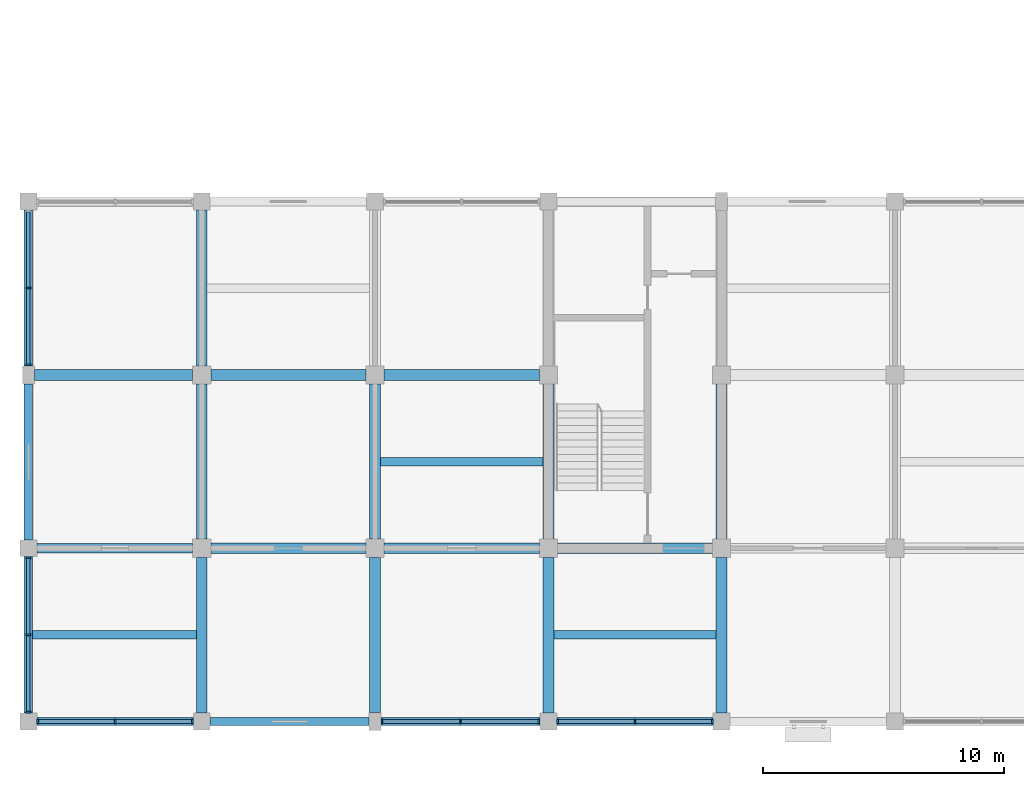
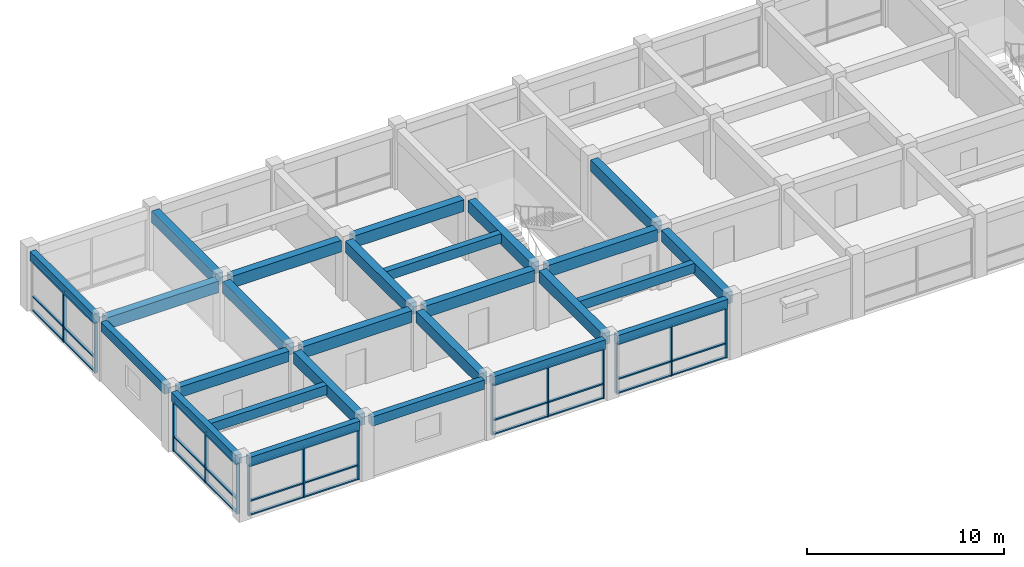
# One storey, part 2 of 25: 44 members, 26 beams, 5 elements without a shape of their own.
"""IFC4 building model written with IfcOpenShell, lengths in metres."""

from ifc_helpers import new_model, si_unit, direction, frame, origin, origin_2d, place, context, subcontext, project, spatial, rectangle, extrude, material, layer, layer_set, material_profile, profile_set, type_object, element, aggregate, save


model = new_model("IFC4")

# Units and contexts
model_context = context("Model", 3, precision=1e-05, world=origin(), true_north=direction((0.0, 1.0)))
body_context = subcontext(model_context, "Body", "Model", "MODEL_VIEW")
ifc_project = project(units=[si_unit("LENGTHUNIT", "METRE"), si_unit("AREAUNIT", "SQUARE_METRE"), si_unit("VOLUMEUNIT", "CUBIC_METRE"), si_unit("PLANEANGLEUNIT", "RADIAN"), si_unit("MASSUNIT", "GRAM", prefix="KILO")], contexts=[model_context])

# Site, building, storey
site_placement = place(None, origin())
site = spatial("IfcSite", under=ifc_project, at=site_placement, CompositionType="ELEMENT")
building_placement = place(site_placement, origin())
building = spatial("IfcBuilding", under=site, at=building_placement, Name="Cendaluz Park School", CompositionType="ELEMENT")
storey_placement = place(building_placement, frame((0.0, 0.0, 18.60009765625)))
storey = spatial("IfcBuildingStorey", under=building, at=storey_placement, Name="L04", CompositionType="ELEMENT", Elevation=18.60009765625)

# Beams
ifc_material_1 = material(Name="Concrete C40/50", Category="concrete")
ifc_material_profile_1 = material_profile(ifc_material_1, rectangle(XDim=0.449951171875, YDim=0.719970703125, at=origin_2d()), Name="RC 450x720", Category="concrete")
ifc_profile_set_1 = profile_set([ifc_material_profile_1], Name="Concrete C40/50")
beam_type_1 = type_object("IfcBeamType", Name="BM-RC02", PredefinedType="BEAM", material=ifc_profile_set_1)
beam_1_placement = place(storey_placement, frame((14.64990234375, 21.60009765625, 3.329833984375), z_axis=(1.0, 0.0, 0.0), x_axis=(0.0, 1.0, 0.0)))
element("IfcBeam", 1, at=beam_1_placement, inside=storey, type_object=beam_type_1, Name="BM-L04-BMRC02-0003", PredefinedType="BEAM", context=body_context, shape_type="SweptSolid", body=[
    extrude(rectangle(XDim=0.449951171875, YDim=0.719970703125, at=origin_2d()), origin(), (0.0, 0.0, 1.0), 6.5751953125),
])
for number, where, z_axis, x_axis, name in (
    (2, (21.97509765625, 14.39990234375, 3.329833984375), (1.0, 0.0, 0.0), (0.0, 1.0, 0.0), "BM-L04-BMRC02-0006"),
    (3, (21.97509765625, 21.60009765625, 3.329833984375), (1.0, 0.0, 0.0), (0.0, 1.0, 0.0), "BM-L04-BMRC02-0007"),
    (4, (29.175048828125, 14.39990234375, 3.329833984375), (1.0, 0.0, 0.0), (0.0, 1.0, 0.0), "BM-L04-BMRC02-0010"),
    (5, (29.175048828125, 21.60009765625, 3.329833984375), (1.0, 0.0, 0.0), (0.0, 1.0, 0.0), "BM-L04-BMRC02-0011"),
    (6, (36.375, 14.39990234375, 3.329833984375), (1.0, 0.0, 0.0), (0.0, 1.0, 0.0), "BM-L04-BMRC02-0014"),
):
    element("IfcBeam", number, at=place(storey_placement, frame(where, z_axis=z_axis, x_axis=x_axis)), inside=storey, type_object=beam_type_1, Name=name, PredefinedType="BEAM", context=body_context, shape_type="SweptSolid", body=[
        extrude(rectangle(XDim=0.449951171875, YDim=0.719970703125, at=origin_2d()), origin(), (0.0, 0.0, 1.0), 6.449951171875),
    ])
beam_2_placement = place(storey_placement, frame((21.60009765625, 7.550048828125, 3.329833984375), z_axis=(0.0, 1.0, 0.0), x_axis=(-1.0, 0.0, 0.0)))
element("IfcBeam", 7, at=beam_2_placement, inside=storey, type_object=beam_type_1, Name="BM-L04-BMRC02-0114", PredefinedType="BEAM", context=body_context, shape_type="SweptSolid", body=[
    extrude(rectangle(XDim=0.449951171875, YDim=0.719970703125, at=origin_2d()), origin(), (0.0, 0.0, 1.0), 6.474853515625),
])
beam_3_placement = place(storey_placement, frame((21.60009765625, 14.77490234375, 3.329833984375), z_axis=(0.0, 1.0, 0.0), x_axis=(-1.0, 0.0, 0.0)))
element("IfcBeam", 8, at=beam_3_placement, inside=storey, type_object=beam_type_1, Name="BM-L04-BMRC02-0115", PredefinedType="BEAM", context=body_context, shape_type="SweptSolid", body=[
    extrude(rectangle(XDim=0.449951171875, YDim=0.719970703125, at=origin_2d()), origin(), (0.0, 0.0, 1.0), 6.4501953125),
])
beam_4_placement = place(storey_placement, frame((21.60009765625, 21.97509765625, 3.329833984375), z_axis=(0.0, 1.0, 0.0), x_axis=(-1.0, 0.0, 0.0)))
element("IfcBeam", 9, at=beam_4_placement, inside=storey, type_object=beam_type_1, Name="BM-L04-BMRC02-0116", PredefinedType="BEAM", context=body_context, shape_type="SweptSolid", body=[
    extrude(rectangle(XDim=0.449951171875, YDim=0.719970703125, at=origin_2d()), origin(), (0.0, 0.0, 1.0), 6.474853515625),
])
beam_5_placement = place(storey_placement, frame((28.800048828125, 7.574951171875, 3.329833984375), z_axis=(0.0, 1.0, 0.0), x_axis=(-1.0, 0.0, 0.0)))
element("IfcBeam", 10, at=beam_5_placement, inside=storey, type_object=beam_type_1, Name="BM-L04-BMRC02-0117", PredefinedType="BEAM", context=body_context, shape_type="SweptSolid", body=[
    extrude(rectangle(XDim=0.449951171875, YDim=0.719970703125, at=origin_2d()), origin(), (0.0, 0.0, 1.0), 6.449951171875),
])
beam_6_placement = place(storey_placement, frame((28.800048828125, 14.77490234375, 3.329833984375), z_axis=(0.0, 1.0, 0.0), x_axis=(-1.0, 0.0, 0.0)))
element("IfcBeam", 11, at=beam_6_placement, inside=storey, type_object=beam_type_1, Name="BM-L04-BMRC02-0118", PredefinedType="BEAM", context=body_context, shape_type="SweptSolid", body=[
    extrude(rectangle(XDim=0.449951171875, YDim=0.719970703125, at=origin_2d()), origin(), (0.0, 0.0, 1.0), 6.4501953125),
])
beam_7_placement = place(storey_placement, frame((36.0, 7.550048828125, 3.329833984375), z_axis=(0.0, 1.0, 0.0), x_axis=(-1.0, 0.0, 0.0)))
element("IfcBeam", 12, at=beam_7_placement, inside=storey, type_object=beam_type_1, Name="BM-L04-BMRC02-0120", PredefinedType="BEAM", context=body_context, shape_type="SweptSolid", body=[
    extrude(rectangle(XDim=0.449951171875, YDim=0.719970703125, at=origin_2d()), origin(), (0.0, 0.0, 1.0), 6.474853515625),
])
beam_8_placement = place(storey_placement, frame((36.0, 14.77490234375, 3.329833984375), z_axis=(0.0, 1.0, 0.0), x_axis=(-1.0, 0.0, 0.0)))
element("IfcBeam", 13, at=beam_8_placement, inside=storey, type_object=beam_type_1, Name="BM-L04-BMRC02-0121", PredefinedType="BEAM", context=body_context, shape_type="SweptSolid", body=[
    extrude(rectangle(XDim=0.449951171875, YDim=0.719970703125, at=origin_2d()), origin(), (0.0, 0.0, 1.0), 6.4501953125),
])
beam_9_placement = place(storey_placement, frame((43.199951171875, 7.550048828125, 3.329833984375), z_axis=(0.0, 1.0, 0.0), x_axis=(-1.0, 0.0, 0.0)))
element("IfcBeam", 14, at=beam_9_placement, inside=storey, type_object=beam_type_1, Name="BM-L04-BMRC02-0123", PredefinedType="BEAM", context=body_context, shape_type="SweptSolid", body=[
    extrude(rectangle(XDim=0.449951171875, YDim=0.719970703125, at=origin_2d()), origin(), (0.0, 0.0, 1.0), 6.474853515625),
])
beam_10_placement = place(storey_placement, frame((43.199951171875, 14.77490234375, 3.329833984375), z_axis=(0.0, 1.0, 0.0), x_axis=(-1.0, 0.0, 0.0)))
element("IfcBeam", 15, at=beam_10_placement, inside=storey, type_object=beam_type_1, Name="BM-L04-BMRC02-0124", PredefinedType="BEAM", context=body_context, shape_type="SweptSolid", body=[
    extrude(rectangle(XDim=0.449951171875, YDim=0.719970703125, at=origin_2d()), origin(), (0.0, 0.0, 1.0), 6.4501953125),
])
ifc_material_profile_2 = material_profile(ifc_material_1, rectangle(XDim=0.39990234375, YDim=0.64990234375, at=origin_2d()), Name="RC 400x650", Category="concrete")
ifc_profile_set_2 = profile_set([ifc_material_profile_2], Name="Concrete C40/50")
beam_type_2 = type_object("IfcBeamType", Name="BM-RC03", PredefinedType="T_BEAM", material=ifc_profile_set_2)
beam_11_placement = place(storey_placement, frame((14.75, 14.39990234375, 3.364990234375), z_axis=(1.0, 0.0, 0.0), x_axis=(0.0, 1.0, 0.0)))
element("IfcBeam", 16, at=beam_11_placement, inside=storey, type_object=beam_type_2, Name="BM-L04-BMRC03-0002", PredefinedType="T_BEAM", context=body_context, shape_type="SweptSolid", body=[
    extrude(rectangle(XDim=0.39990234375, YDim=0.64990234375, at=origin_2d()), origin(), (0.0, 0.0, 1.0), 6.47509765625),
])
ifc_material_profile_3 = material_profile(ifc_material_1, rectangle(XDim=0.35009765625, YDim=0.580078125, at=origin_2d()), Name="RC 350x580", Category="concrete")
ifc_profile_set_3 = profile_set([ifc_material_profile_3], Name="Concrete C40/50")
beam_type_3 = type_object("IfcBeamType", Name="BM-RC04", PredefinedType="LINTEL", material=ifc_profile_set_3)
beam_12_placement = place(storey_placement, frame((14.75, 7.199951171875, 3.39990234375), z_axis=(1.0, 0.0, 0.0), x_axis=(0.0, 1.0, 0.0)))
element("IfcBeam", 17, at=beam_12_placement, inside=storey, type_object=beam_type_3, Name="BM-L04-BMRC04-0001", PredefinedType="LINTEL", context=body_context, shape_type="SweptSolid", body=[
    extrude(rectangle(XDim=0.35009765625, YDim=0.580078125, at=origin_2d()), origin(), (0.0, 0.0, 1.0), 6.5),
])
beam_13_placement = place(storey_placement, frame((21.949951171875, 7.199951171875, 3.39990234375), z_axis=(1.0, 0.0, 0.0), x_axis=(0.0, 1.0, 0.0)))
element("IfcBeam", 18, at=beam_13_placement, inside=storey, type_object=beam_type_3, Name="BM-L04-BMRC04-0005", PredefinedType="LINTEL", context=body_context, shape_type="SweptSolid", body=[
    extrude(rectangle(XDim=0.35009765625, YDim=0.580078125, at=origin_2d()), origin(), (0.0, 0.0, 1.0), 6.60009765625),
])
beam_14_placement = place(storey_placement, frame((29.050048828125, 7.199951171875, 3.39990234375), z_axis=(1.0, 0.0, 0.0), x_axis=(0.0, 1.0, 0.0)))
element("IfcBeam", 19, at=beam_14_placement, inside=storey, type_object=beam_type_3, Name="BM-L04-BMRC04-0009", PredefinedType="LINTEL", context=body_context, shape_type="SweptSolid", body=[
    extrude(rectangle(XDim=0.35009765625, YDim=0.580078125, at=origin_2d()), origin(), (0.0, 0.0, 1.0), 6.599853515625),
])
for number, where, z_axis, x_axis, name in (
    (20, (36.35009765625, 7.199951171875, 3.39990234375), (1.0, 0.0, 0.0), (0.0, 1.0, 0.0), "BM-L04-BMRC04-0013"),
    (21, (14.39990234375, 7.550048828125, 3.39990234375), (0.0, 1.0, 0.0), (-1.0, 0.0, 0.0), "BM-L04-BMRC04-0111"),
):
    element("IfcBeam", number, at=place(storey_placement, frame(where, z_axis=z_axis, x_axis=x_axis)), inside=storey, type_object=beam_type_3, Name=name, PredefinedType="LINTEL", context=body_context, shape_type="SweptSolid", body=[
        extrude(rectangle(XDim=0.35009765625, YDim=0.580078125, at=origin_2d()), origin(), (0.0, 0.0, 1.0), 6.5),
    ])
beam_15_placement = place(storey_placement, frame((14.39990234375, 14.75, 3.39990234375), z_axis=(0.0, 1.0, 0.0), x_axis=(-1.0, 0.0, 0.0)))
element("IfcBeam", 22, at=beam_15_placement, inside=storey, type_object=beam_type_3, Name="BM-L04-BMRC04-0112", PredefinedType="LINTEL", context=body_context, shape_type="SweptSolid", body=[
    extrude(rectangle(XDim=0.35009765625, YDim=0.580078125, at=origin_2d()), origin(), (0.0, 0.0, 1.0), 6.47509765625),
])
beam_16_placement = place(storey_placement, frame((14.39990234375, 21.97509765625, 3.39990234375), z_axis=(0.0, 1.0, 0.0), x_axis=(-1.0, 0.0, 0.0)))
element("IfcBeam", 23, at=beam_16_placement, inside=storey, type_object=beam_type_3, Name="BM-L04-BMRC04-0113", PredefinedType="LINTEL", context=body_context, shape_type="SweptSolid", body=[
    extrude(rectangle(XDim=0.35009765625, YDim=0.580078125, at=origin_2d()), origin(), (0.0, 0.0, 1.0), 6.474853515625),
])

# Curtain wall, members
ifc_material_2 = material(Name="Anodised Aluminium 6063-T6", Category="aluminium")
ifc_layer_1 = layer(ifc_material_2, 0.179931640625)
ifc_layer_set_1 = layer_set([ifc_layer_1], Name="Anodised Aluminium 6063-T6")
curtain_wall_type_1 = type_object("IfcCurtainWallType", Name="CW-130x62", PredefinedType="NOTDEFINED", material=ifc_layer_set_1)
curtain_wall_1_placement = place(storey_placement, origin())
curtain_wall_1 = element("IfcCurtainWall", 24, at=curtain_wall_1_placement, inside=storey, type_object=curtain_wall_type_1, Name="CW-L04-161", PredefinedType="NOTDEFINED")
ifc_material_profile_4 = material_profile(ifc_material_2, rectangle(XDim=0.199951171875, YDim=0.080078125, at=origin_2d()), Name="CWM 200x80", Category="aluminium")
ifc_profile_set_4 = profile_set([ifc_material_profile_4], Name="Anodised Aluminium 6063-T6")
member_type_1 = type_object("IfcMemberType", Name="CWM-02", PredefinedType="MULLION", material=ifc_profile_set_4)
member_1_placement = place(storey_placement, frame((14.7900390625, 7.199951171875, 0.0), z_axis=(0.0, 0.0, 1.0), x_axis=(0.0, 1.0, 0.0)))
member_1 = element("IfcMember", 25, at=member_1_placement, type_object=member_type_1, Name="CP-L04-2081", PredefinedType="MULLION", context=body_context, shape_type="SweptSolid", body=[
    extrude(rectangle(XDim=0.199951171875, YDim=0.080078125, at=origin_2d()), origin(), (0.0, 0.0, 1.0), 3.10986328125),
])
member_2_placement = place(storey_placement, frame((18.0, 7.199951171875, 0.0), z_axis=(0.0, 0.0, 1.0), x_axis=(0.0, 1.0, 0.0)))
member_2 = element("IfcMember", 26, at=member_2_placement, type_object=member_type_1, Name="CP-L04-2082", PredefinedType="MULLION", context=body_context, shape_type="SweptSolid", body=[
    extrude(rectangle(XDim=0.199951171875, YDim=0.080078125, at=origin_2d()), origin(), (0.0, 0.0, 1.0), 3.10986328125),
])
member_3_placement = place(storey_placement, frame((21.2099609375, 7.199951171875, 0.0), z_axis=(0.0, 0.0, 1.0), x_axis=(0.0, 1.0, 0.0)))
member_3 = element("IfcMember", 27, at=member_3_placement, type_object=member_type_1, Name="CP-L04-2083", PredefinedType="MULLION", context=body_context, shape_type="SweptSolid", body=[
    extrude(rectangle(XDim=0.199951171875, YDim=0.080078125, at=origin_2d()), origin(), (0.0, 0.0, 1.0), 3.10986328125),
])

curtain_wall_2_placement = place(storey_placement, origin())
curtain_wall_2 = element("IfcCurtainWall", 28, at=curtain_wall_2_placement, inside=storey, type_object=curtain_wall_type_1, Name="CW-L04-162", PredefinedType="NOTDEFINED")
member_4_placement = place(storey_placement, frame((14.39990234375, 7.590087890625, 0.0), z_axis=(0.0, 0.0, 1.0), x_axis=(-1.0, 0.0, 0.0)))
member_4 = element("IfcMember", 29, at=member_4_placement, type_object=member_type_1, Name="CP-L04-2094", PredefinedType="MULLION", context=body_context, shape_type="SweptSolid", body=[
    extrude(rectangle(XDim=0.199951171875, YDim=0.080078125, at=origin_2d()), origin(), (0.0, 0.0, 1.0), 3.10986328125),
])
member_5_placement = place(storey_placement, frame((14.39990234375, 10.800048828125, 0.0), z_axis=(0.0, 0.0, 1.0), x_axis=(-1.0, 0.0, 0.0)))
member_5 = element("IfcMember", 30, at=member_5_placement, type_object=member_type_1, Name="CP-L04-2095", PredefinedType="MULLION", context=body_context, shape_type="SweptSolid", body=[
    extrude(rectangle(XDim=0.199951171875, YDim=0.080078125, at=origin_2d()), origin(), (0.0, 0.0, 1.0), 3.10986328125),
])
member_6_placement = place(storey_placement, frame((14.39990234375, 14.010009765625, 0.0), z_axis=(0.0, 0.0, 1.0), x_axis=(-1.0, 0.0, 0.0)))
member_6 = element("IfcMember", 31, at=member_6_placement, type_object=member_type_1, Name="CP-L04-2096", PredefinedType="MULLION", context=body_context, shape_type="SweptSolid", body=[
    extrude(rectangle(XDim=0.199951171875, YDim=0.080078125, at=origin_2d()), origin(), (0.0, 0.0, 1.0), 3.10986328125),
])

curtain_wall_3_placement = place(storey_placement, origin())
curtain_wall_3 = element("IfcCurtainWall", 32, at=curtain_wall_3_placement, inside=storey, type_object=curtain_wall_type_1, Name="CW-L04-164", PredefinedType="NOTDEFINED")
member_7_placement = place(storey_placement, frame((14.39990234375, 22.014892578125, 0.0), z_axis=(0.0, 0.0, 1.0), x_axis=(-1.0, 0.0, 0.0)))
member_7 = element("IfcMember", 33, at=member_7_placement, type_object=member_type_1, Name="CP-L04-2120", PredefinedType="MULLION", context=body_context, shape_type="SweptSolid", body=[
    extrude(rectangle(XDim=0.199951171875, YDim=0.080078125, at=origin_2d()), origin(), (0.0, 0.0, 1.0), 3.10986328125),
])
member_8_placement = place(storey_placement, frame((14.39990234375, 25.21240234375, 0.0), z_axis=(0.0, 0.0, 1.0), x_axis=(-1.0, 0.0, 0.0)))
member_8 = element("IfcMember", 34, at=member_8_placement, type_object=member_type_1, Name="CP-L04-2121", PredefinedType="MULLION", context=body_context, shape_type="SweptSolid", body=[
    extrude(rectangle(XDim=0.199951171875, YDim=0.080078125, at=origin_2d()), origin(), (0.0, 0.0, 1.0), 3.10986328125),
])

ifc_layer_2 = layer(ifc_material_2, 0.179931640625)
ifc_layer_set_2 = layer_set([ifc_layer_2], Name="Anodised Aluminium 6063-T6")
curtain_wall_type_2 = type_object("IfcCurtainWallType", Name="CW-132x62", PredefinedType="NOTDEFINED", material=ifc_layer_set_2)
curtain_wall_4_placement = place(storey_placement, origin())
curtain_wall_4 = element("IfcCurtainWall", 35, at=curtain_wall_4_placement, inside=storey, type_object=curtain_wall_type_2, Name="CW-L04-165", PredefinedType="NOTDEFINED")
member_9_placement = place(storey_placement, frame((29.090087890625, 7.199951171875, 0.0), z_axis=(0.0, 0.0, 1.0), x_axis=(0.0, 1.0, 0.0)))
member_9 = element("IfcMember", 36, at=member_9_placement, type_object=member_type_1, Name="CP-L04-2133", PredefinedType="MULLION", context=body_context, shape_type="SweptSolid", body=[
    extrude(rectangle(XDim=0.199951171875, YDim=0.080078125, at=origin_2d()), origin(), (0.0, 0.0, 1.0), 3.10986328125),
])
member_10_placement = place(storey_placement, frame((32.35009765625, 7.199951171875, 0.0), z_axis=(0.0, 0.0, 1.0), x_axis=(0.0, 1.0, 0.0)))
member_10 = element("IfcMember", 37, at=member_10_placement, type_object=member_type_1, Name="CP-L04-2134", PredefinedType="MULLION", context=body_context, shape_type="SweptSolid", body=[
    extrude(rectangle(XDim=0.199951171875, YDim=0.080078125, at=origin_2d()), origin(), (0.0, 0.0, 1.0), 3.10986328125),
])
member_11_placement = place(storey_placement, frame((35.610107421875, 7.199951171875, 0.0), z_axis=(0.0, 0.0, 1.0), x_axis=(0.0, 1.0, 0.0)))
member_11 = element("IfcMember", 38, at=member_11_placement, type_object=member_type_1, Name="CP-L04-2135", PredefinedType="MULLION", context=body_context, shape_type="SweptSolid", body=[
    extrude(rectangle(XDim=0.199951171875, YDim=0.080078125, at=origin_2d()), origin(), (0.0, 0.0, 1.0), 3.10986328125),
])

curtain_wall_5_placement = place(storey_placement, origin())
curtain_wall_5 = element("IfcCurtainWall", 39, at=curtain_wall_5_placement, inside=storey, type_object=curtain_wall_type_1, Name="CW-L04-167", PredefinedType="NOTDEFINED")
member_12_placement = place(storey_placement, frame((36.389892578125, 7.199951171875, 0.0), z_axis=(0.0, 0.0, 1.0), x_axis=(0.0, 1.0, 0.0)))
member_12 = element("IfcMember", 40, at=member_12_placement, type_object=member_type_1, Name="CP-L04-2159", PredefinedType="MULLION", context=body_context, shape_type="SweptSolid", body=[
    extrude(rectangle(XDim=0.199951171875, YDim=0.080078125, at=origin_2d()), origin(), (0.0, 0.0, 1.0), 3.10986328125),
])
member_13_placement = place(storey_placement, frame((39.60009765625, 7.199951171875, 0.0), z_axis=(0.0, 0.0, 1.0), x_axis=(0.0, 1.0, 0.0)))
member_13 = element("IfcMember", 41, at=member_13_placement, type_object=member_type_1, Name="CP-L04-2160", PredefinedType="MULLION", context=body_context, shape_type="SweptSolid", body=[
    extrude(rectangle(XDim=0.199951171875, YDim=0.080078125, at=origin_2d()), origin(), (0.0, 0.0, 1.0), 3.10986328125),
])
member_14_placement = place(storey_placement, frame((42.81005859375, 7.199951171875, 0.0), z_axis=(0.0, 0.0, 1.0), x_axis=(0.0, 1.0, 0.0)))
member_14 = element("IfcMember", 42, at=member_14_placement, type_object=member_type_1, Name="CP-L04-2161", PredefinedType="MULLION", context=body_context, shape_type="SweptSolid", body=[
    extrude(rectangle(XDim=0.199951171875, YDim=0.080078125, at=origin_2d()), origin(), (0.0, 0.0, 1.0), 3.10986328125),
])

# Member
ifc_material_profile_5 = material_profile(ifc_material_2, rectangle(XDim=0.14990234375, YDim=0.080078125, at=origin_2d()), Name="CWT 150x80", Category="aluminium")
ifc_profile_set_5 = profile_set([ifc_material_profile_5], Name="Anodised Aluminium 6063-T6")
member_type_2 = type_object("IfcMemberType", Name="CWT-02", PredefinedType="USERDEFINED", material=ifc_profile_set_5)
member_15_placement = place(storey_placement, frame((14.830078125, 7.199951171875, 0.039794921875), z_axis=(1.0, 0.0, 0.0), x_axis=(0.0, 1.0, 0.0)))
member_15 = element("IfcMember", 43, at=member_15_placement, type_object=member_type_2, Name="CP-L04-2084", ObjectType="TRANSOM", PredefinedType="USERDEFINED", context=body_context, shape_type="SweptSolid", body=[
    extrude(rectangle(XDim=0.14990234375, YDim=0.080078125, at=origin_2d()), origin(), (0.0, 0.0, 1.0), 3.1298828125),
])

member_16_placement = place(storey_placement, frame((14.830078125, 7.199951171875, 0.89990234375), z_axis=(1.0, 0.0, 0.0), x_axis=(0.0, 1.0, 0.0)))
member_16 = element("IfcMember", 44, at=member_16_placement, type_object=member_type_2, Name="CP-L04-2085", ObjectType="TRANSOM", PredefinedType="USERDEFINED", context=body_context, shape_type="SweptSolid", body=[
    extrude(rectangle(XDim=0.14990234375, YDim=0.080078125, at=origin_2d()), origin(), (0.0, 0.0, 1.0), 3.1298828125),
])

member_17_placement = place(storey_placement, frame((14.830078125, 7.199951171875, 3.06982421875), z_axis=(1.0, 0.0, 0.0), x_axis=(0.0, 1.0, 0.0)))
member_17 = element("IfcMember", 45, at=member_17_placement, type_object=member_type_2, Name="CP-L04-2086", ObjectType="TRANSOM", PredefinedType="USERDEFINED", context=body_context, shape_type="SweptSolid", body=[
    extrude(rectangle(XDim=0.14990234375, YDim=0.080078125, at=origin_2d()), origin(), (0.0, 0.0, 1.0), 3.1298828125),
])

member_18_placement = place(storey_placement, frame((18.0400390625, 7.199951171875, 0.039794921875), z_axis=(1.0, 0.0, 0.0), x_axis=(0.0, 1.0, 0.0)))
member_18 = element("IfcMember", 46, at=member_18_placement, type_object=member_type_2, Name="CP-L04-2089", ObjectType="TRANSOM", PredefinedType="USERDEFINED", context=body_context, shape_type="SweptSolid", body=[
    extrude(rectangle(XDim=0.14990234375, YDim=0.080078125, at=origin_2d()), origin(), (0.0, 0.0, 1.0), 3.1298828125),
])

member_19_placement = place(storey_placement, frame((18.0400390625, 7.199951171875, 0.89990234375), z_axis=(1.0, 0.0, 0.0), x_axis=(0.0, 1.0, 0.0)))
member_19 = element("IfcMember", 47, at=member_19_placement, type_object=member_type_2, Name="CP-L04-2090", ObjectType="TRANSOM", PredefinedType="USERDEFINED", context=body_context, shape_type="SweptSolid", body=[
    extrude(rectangle(XDim=0.14990234375, YDim=0.080078125, at=origin_2d()), origin(), (0.0, 0.0, 1.0), 3.1298828125),
])

member_20_placement = place(storey_placement, frame((18.0400390625, 7.199951171875, 3.06982421875), z_axis=(1.0, 0.0, 0.0), x_axis=(0.0, 1.0, 0.0)))
member_20 = element("IfcMember", 48, at=member_20_placement, type_object=member_type_2, Name="CP-L04-2091", ObjectType="TRANSOM", PredefinedType="USERDEFINED", context=body_context, shape_type="SweptSolid", body=[
    extrude(rectangle(XDim=0.14990234375, YDim=0.080078125, at=origin_2d()), origin(), (0.0, 0.0, 1.0), 3.1298828125),
])

aggregate(curtain_wall_1, [member_1, member_2, member_3, member_15, member_16, member_17, member_18, member_19, member_20])

member_21_placement = place(storey_placement, frame((14.39990234375, 7.6298828125, 0.039794921875), z_axis=(0.0, 1.0, 0.0), x_axis=(-1.0, 0.0, 0.0)))
member_21 = element("IfcMember", 49, at=member_21_placement, type_object=member_type_2, Name="CP-L04-2097", ObjectType="TRANSOM", PredefinedType="USERDEFINED", context=body_context, shape_type="SweptSolid", body=[
    extrude(rectangle(XDim=0.14990234375, YDim=0.080078125, at=origin_2d()), origin(), (0.0, 0.0, 1.0), 3.130126953125),
])

member_22_placement = place(storey_placement, frame((14.39990234375, 7.6298828125, 0.89990234375), z_axis=(0.0, 1.0, 0.0), x_axis=(-1.0, 0.0, 0.0)))
member_22 = element("IfcMember", 50, at=member_22_placement, type_object=member_type_2, Name="CP-L04-2098", ObjectType="TRANSOM", PredefinedType="USERDEFINED", context=body_context, shape_type="SweptSolid", body=[
    extrude(rectangle(XDim=0.14990234375, YDim=0.080078125, at=origin_2d()), origin(), (0.0, 0.0, 1.0), 3.130126953125),
])

member_23_placement = place(storey_placement, frame((14.39990234375, 7.6298828125, 3.06982421875), z_axis=(0.0, 1.0, 0.0), x_axis=(-1.0, 0.0, 0.0)))
member_23 = element("IfcMember", 51, at=member_23_placement, type_object=member_type_2, Name="CP-L04-2099", ObjectType="TRANSOM", PredefinedType="USERDEFINED", context=body_context, shape_type="SweptSolid", body=[
    extrude(rectangle(XDim=0.14990234375, YDim=0.080078125, at=origin_2d()), origin(), (0.0, 0.0, 1.0), 3.130126953125),
])

member_24_placement = place(storey_placement, frame((14.39990234375, 10.840087890625, 0.039794921875), z_axis=(0.0, 1.0, 0.0), x_axis=(-1.0, 0.0, 0.0)))
member_24 = element("IfcMember", 52, at=member_24_placement, type_object=member_type_2, Name="CP-L04-2102", ObjectType="TRANSOM", PredefinedType="USERDEFINED", context=body_context, shape_type="SweptSolid", body=[
    extrude(rectangle(XDim=0.14990234375, YDim=0.080078125, at=origin_2d()), origin(), (0.0, 0.0, 1.0), 3.1298828125),
])

member_25_placement = place(storey_placement, frame((14.39990234375, 10.840087890625, 0.89990234375), z_axis=(0.0, 1.0, 0.0), x_axis=(-1.0, 0.0, 0.0)))
member_25 = element("IfcMember", 53, at=member_25_placement, type_object=member_type_2, Name="CP-L04-2103", ObjectType="TRANSOM", PredefinedType="USERDEFINED", context=body_context, shape_type="SweptSolid", body=[
    extrude(rectangle(XDim=0.14990234375, YDim=0.080078125, at=origin_2d()), origin(), (0.0, 0.0, 1.0), 3.1298828125),
])

member_26_placement = place(storey_placement, frame((14.39990234375, 10.840087890625, 3.06982421875), z_axis=(0.0, 1.0, 0.0), x_axis=(-1.0, 0.0, 0.0)))
member_26 = element("IfcMember", 54, at=member_26_placement, type_object=member_type_2, Name="CP-L04-2104", ObjectType="TRANSOM", PredefinedType="USERDEFINED", context=body_context, shape_type="SweptSolid", body=[
    extrude(rectangle(XDim=0.14990234375, YDim=0.080078125, at=origin_2d()), origin(), (0.0, 0.0, 1.0), 3.1298828125),
])

aggregate(curtain_wall_2, [member_4, member_5, member_6, member_21, member_22, member_23, member_24, member_25, member_26])

member_27_placement = place(storey_placement, frame((14.39990234375, 22.054931640625, 0.039794921875), z_axis=(0.0, 1.0, 0.0), x_axis=(-1.0, 0.0, 0.0)))
member_27 = element("IfcMember", 55, at=member_27_placement, type_object=member_type_2, Name="CP-L04-2123", ObjectType="TRANSOM", PredefinedType="USERDEFINED", context=body_context, shape_type="SweptSolid", body=[
    extrude(rectangle(XDim=0.14990234375, YDim=0.080078125, at=origin_2d()), origin(), (0.0, 0.0, 1.0), 3.11767578125),
])

member_28_placement = place(storey_placement, frame((14.39990234375, 22.054931640625, 0.89990234375), z_axis=(0.0, 1.0, 0.0), x_axis=(-1.0, 0.0, 0.0)))
member_28 = element("IfcMember", 56, at=member_28_placement, type_object=member_type_2, Name="CP-L04-2124", ObjectType="TRANSOM", PredefinedType="USERDEFINED", context=body_context, shape_type="SweptSolid", body=[
    extrude(rectangle(XDim=0.14990234375, YDim=0.080078125, at=origin_2d()), origin(), (0.0, 0.0, 1.0), 3.11767578125),
])

member_29_placement = place(storey_placement, frame((14.39990234375, 22.054931640625, 3.06982421875), z_axis=(0.0, 1.0, 0.0), x_axis=(-1.0, 0.0, 0.0)))
member_29 = element("IfcMember", 57, at=member_29_placement, type_object=member_type_2, Name="CP-L04-2125", ObjectType="TRANSOM", PredefinedType="USERDEFINED", context=body_context, shape_type="SweptSolid", body=[
    extrude(rectangle(XDim=0.14990234375, YDim=0.080078125, at=origin_2d()), origin(), (0.0, 0.0, 1.0), 3.11767578125),
])

member_30_placement = place(storey_placement, frame((14.39990234375, 25.25244140625, 0.039794921875), z_axis=(0.0, 1.0, 0.0), x_axis=(-1.0, 0.0, 0.0)))
member_30 = element("IfcMember", 58, at=member_30_placement, type_object=member_type_2, Name="CP-L04-2128", ObjectType="TRANSOM", PredefinedType="USERDEFINED", context=body_context, shape_type="SweptSolid", body=[
    extrude(rectangle(XDim=0.14990234375, YDim=0.080078125, at=origin_2d()), origin(), (0.0, 0.0, 1.0), 3.11767578125),
])

member_31_placement = place(storey_placement, frame((14.39990234375, 25.25244140625, 0.89990234375), z_axis=(0.0, 1.0, 0.0), x_axis=(-1.0, 0.0, 0.0)))
member_31 = element("IfcMember", 59, at=member_31_placement, type_object=member_type_2, Name="CP-L04-2129", ObjectType="TRANSOM", PredefinedType="USERDEFINED", context=body_context, shape_type="SweptSolid", body=[
    extrude(rectangle(XDim=0.14990234375, YDim=0.080078125, at=origin_2d()), origin(), (0.0, 0.0, 1.0), 3.11767578125),
])

member_32_placement = place(storey_placement, frame((14.39990234375, 25.25244140625, 3.06982421875), z_axis=(0.0, 1.0, 0.0), x_axis=(-1.0, 0.0, 0.0)))
member_32 = element("IfcMember", 60, at=member_32_placement, type_object=member_type_2, Name="CP-L04-2130", ObjectType="TRANSOM", PredefinedType="USERDEFINED", context=body_context, shape_type="SweptSolid", body=[
    extrude(rectangle(XDim=0.14990234375, YDim=0.080078125, at=origin_2d()), origin(), (0.0, 0.0, 1.0), 3.11767578125),
])

aggregate(curtain_wall_3, [member_7, member_8, member_27, member_28, member_29, member_30, member_31, member_32])

member_33_placement = place(storey_placement, frame((29.1298828125, 7.199951171875, 0.039794921875), z_axis=(1.0, 0.0, 0.0), x_axis=(0.0, 1.0, 0.0)))
member_33 = element("IfcMember", 61, at=member_33_placement, type_object=member_type_2, Name="CP-L04-2136", ObjectType="TRANSOM", PredefinedType="USERDEFINED", context=body_context, shape_type="SweptSolid", body=[
    extrude(rectangle(XDim=0.14990234375, YDim=0.080078125, at=origin_2d()), origin(), (0.0, 0.0, 1.0), 3.18017578125),
])

member_34_placement = place(storey_placement, frame((29.1298828125, 7.199951171875, 0.89990234375), z_axis=(1.0, 0.0, 0.0), x_axis=(0.0, 1.0, 0.0)))
member_34 = element("IfcMember", 62, at=member_34_placement, type_object=member_type_2, Name="CP-L04-2137", ObjectType="TRANSOM", PredefinedType="USERDEFINED", context=body_context, shape_type="SweptSolid", body=[
    extrude(rectangle(XDim=0.14990234375, YDim=0.080078125, at=origin_2d()), origin(), (0.0, 0.0, 1.0), 3.18017578125),
])

member_35_placement = place(storey_placement, frame((29.1298828125, 7.199951171875, 3.06982421875), z_axis=(1.0, 0.0, 0.0), x_axis=(0.0, 1.0, 0.0)))
member_35 = element("IfcMember", 63, at=member_35_placement, type_object=member_type_2, Name="CP-L04-2138", ObjectType="TRANSOM", PredefinedType="USERDEFINED", context=body_context, shape_type="SweptSolid", body=[
    extrude(rectangle(XDim=0.14990234375, YDim=0.080078125, at=origin_2d()), origin(), (0.0, 0.0, 1.0), 3.18017578125),
])

member_36_placement = place(storey_placement, frame((32.389892578125, 7.199951171875, 0.039794921875), z_axis=(1.0, 0.0, 0.0), x_axis=(0.0, 1.0, 0.0)))
member_36 = element("IfcMember", 64, at=member_36_placement, type_object=member_type_2, Name="CP-L04-2141", ObjectType="TRANSOM", PredefinedType="USERDEFINED", context=body_context, shape_type="SweptSolid", body=[
    extrude(rectangle(XDim=0.14990234375, YDim=0.080078125, at=origin_2d()), origin(), (0.0, 0.0, 1.0), 3.18017578125),
])

member_37_placement = place(storey_placement, frame((32.389892578125, 7.199951171875, 0.89990234375), z_axis=(1.0, 0.0, 0.0), x_axis=(0.0, 1.0, 0.0)))
member_37 = element("IfcMember", 65, at=member_37_placement, type_object=member_type_2, Name="CP-L04-2142", ObjectType="TRANSOM", PredefinedType="USERDEFINED", context=body_context, shape_type="SweptSolid", body=[
    extrude(rectangle(XDim=0.14990234375, YDim=0.080078125, at=origin_2d()), origin(), (0.0, 0.0, 1.0), 3.18017578125),
])

member_38_placement = place(storey_placement, frame((32.389892578125, 7.199951171875, 3.06982421875), z_axis=(1.0, 0.0, 0.0), x_axis=(0.0, 1.0, 0.0)))
member_38 = element("IfcMember", 66, at=member_38_placement, type_object=member_type_2, Name="CP-L04-2143", ObjectType="TRANSOM", PredefinedType="USERDEFINED", context=body_context, shape_type="SweptSolid", body=[
    extrude(rectangle(XDim=0.14990234375, YDim=0.080078125, at=origin_2d()), origin(), (0.0, 0.0, 1.0), 3.18017578125),
])

aggregate(curtain_wall_4, [member_9, member_10, member_11, member_33, member_34, member_35, member_36, member_37, member_38])

member_39_placement = place(storey_placement, frame((36.429931640625, 7.199951171875, 0.039794921875), z_axis=(1.0, 0.0, 0.0), x_axis=(0.0, 1.0, 0.0)))
member_39 = element("IfcMember", 67, at=member_39_placement, type_object=member_type_2, Name="CP-L04-2162", ObjectType="TRANSOM", PredefinedType="USERDEFINED", context=body_context, shape_type="SweptSolid", body=[
    extrude(rectangle(XDim=0.14990234375, YDim=0.080078125, at=origin_2d()), origin(), (0.0, 0.0, 1.0), 3.130126953125),
])

member_40_placement = place(storey_placement, frame((36.429931640625, 7.199951171875, 0.89990234375), z_axis=(1.0, 0.0, 0.0), x_axis=(0.0, 1.0, 0.0)))
member_40 = element("IfcMember", 68, at=member_40_placement, type_object=member_type_2, Name="CP-L04-2163", ObjectType="TRANSOM", PredefinedType="USERDEFINED", context=body_context, shape_type="SweptSolid", body=[
    extrude(rectangle(XDim=0.14990234375, YDim=0.080078125, at=origin_2d()), origin(), (0.0, 0.0, 1.0), 3.130126953125),
])

member_41_placement = place(storey_placement, frame((36.429931640625, 7.199951171875, 3.06982421875), z_axis=(1.0, 0.0, 0.0), x_axis=(0.0, 1.0, 0.0)))
member_41 = element("IfcMember", 69, at=member_41_placement, type_object=member_type_2, Name="CP-L04-2164", ObjectType="TRANSOM", PredefinedType="USERDEFINED", context=body_context, shape_type="SweptSolid", body=[
    extrude(rectangle(XDim=0.14990234375, YDim=0.080078125, at=origin_2d()), origin(), (0.0, 0.0, 1.0), 3.130126953125),
])

member_42_placement = place(storey_placement, frame((39.639892578125, 7.199951171875, 0.039794921875), z_axis=(1.0, 0.0, 0.0), x_axis=(0.0, 1.0, 0.0)))
member_42 = element("IfcMember", 70, at=member_42_placement, type_object=member_type_2, Name="CP-L04-2167", ObjectType="TRANSOM", PredefinedType="USERDEFINED", context=body_context, shape_type="SweptSolid", body=[
    extrude(rectangle(XDim=0.14990234375, YDim=0.080078125, at=origin_2d()), origin(), (0.0, 0.0, 1.0), 3.130126953125),
])

member_43_placement = place(storey_placement, frame((39.639892578125, 7.199951171875, 0.89990234375), z_axis=(1.0, 0.0, 0.0), x_axis=(0.0, 1.0, 0.0)))
member_43 = element("IfcMember", 71, at=member_43_placement, type_object=member_type_2, Name="CP-L04-2168", ObjectType="TRANSOM", PredefinedType="USERDEFINED", context=body_context, shape_type="SweptSolid", body=[
    extrude(rectangle(XDim=0.14990234375, YDim=0.080078125, at=origin_2d()), origin(), (0.0, 0.0, 1.0), 3.130126953125),
])

member_44_placement = place(storey_placement, frame((39.639892578125, 7.199951171875, 3.06982421875), z_axis=(1.0, 0.0, 0.0), x_axis=(0.0, 1.0, 0.0)))
member_44 = element("IfcMember", 72, at=member_44_placement, type_object=member_type_2, Name="CP-L04-2169", ObjectType="TRANSOM", PredefinedType="USERDEFINED", context=body_context, shape_type="SweptSolid", body=[
    extrude(rectangle(XDim=0.14990234375, YDim=0.080078125, at=origin_2d()), origin(), (0.0, 0.0, 1.0), 3.130126953125),
])

aggregate(curtain_wall_5, [member_12, member_13, member_14, member_39, member_40, member_41, member_42, member_43, member_44])

# Beams
ifc_material_profile_6 = material_profile(ifc_material_1, rectangle(XDim=0.35009765625, YDim=0.580078125, at=origin_2d()), Name="RC 350x580", Category="concrete")
ifc_profile_set_6 = profile_set([ifc_material_profile_6], Name="Concrete C40/50")
beam_type_4 = type_object("IfcBeamType", Name="JT-RC01", PredefinedType="JOIST", material=ifc_profile_set_6)
beam_17_placement = place(storey_placement, frame((14.574951171875, 10.800048828125, 3.39990234375), z_axis=(1.0, 0.0, 0.0), x_axis=(0.0, 1.0, 0.0)))
element("IfcBeam", 73, at=beam_17_placement, inside=storey, type_object=beam_type_4, Name="BM-L04-JTRC01-0216", PredefinedType="JOIST", context=body_context, shape_type="SweptSolid", body=[
    extrude(rectangle(XDim=0.35009765625, YDim=0.580078125, at=origin_2d()), origin(), (0.0, 0.0, 1.0), 6.800048828125),
])
for number, where, z_axis, x_axis, name in (
    (74, (29.02490234375, 18.0, 3.39990234375), (1.0, 0.0, 0.0), (0.0, 1.0, 0.0), "BM-L04-JTRC01-0218"),
    (75, (36.22509765625, 10.800048828125, 3.39990234375), (1.0, 0.0, 0.0), (0.0, 1.0, 0.0), "BM-L04-JTRC01-0219"),
):
    element("IfcBeam", number, at=place(storey_placement, frame(where, z_axis=z_axis, x_axis=x_axis)), inside=storey, type_object=beam_type_4, Name=name, PredefinedType="JOIST", context=body_context, shape_type="SweptSolid", body=[
        extrude(rectangle(XDim=0.35009765625, YDim=0.580078125, at=origin_2d()), origin(), (0.0, 0.0, 1.0), 6.75),
    ])

save(model, "model.ifc")
